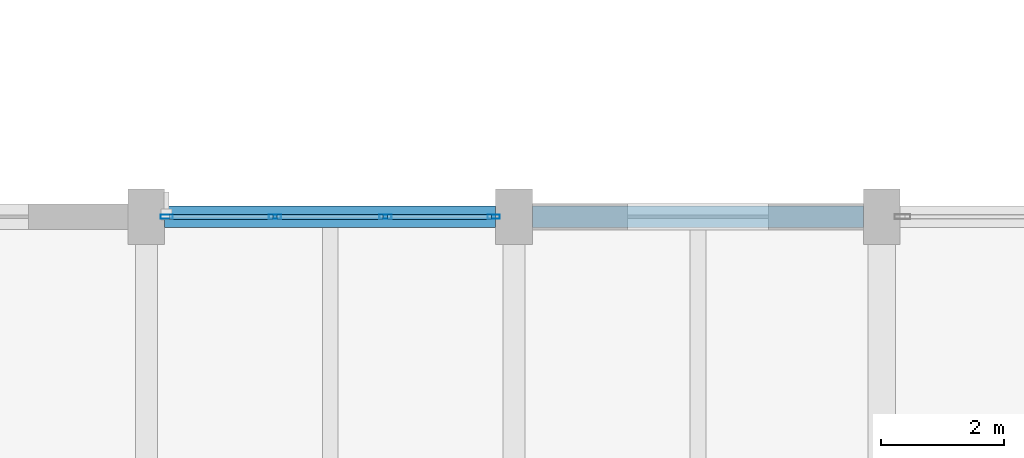
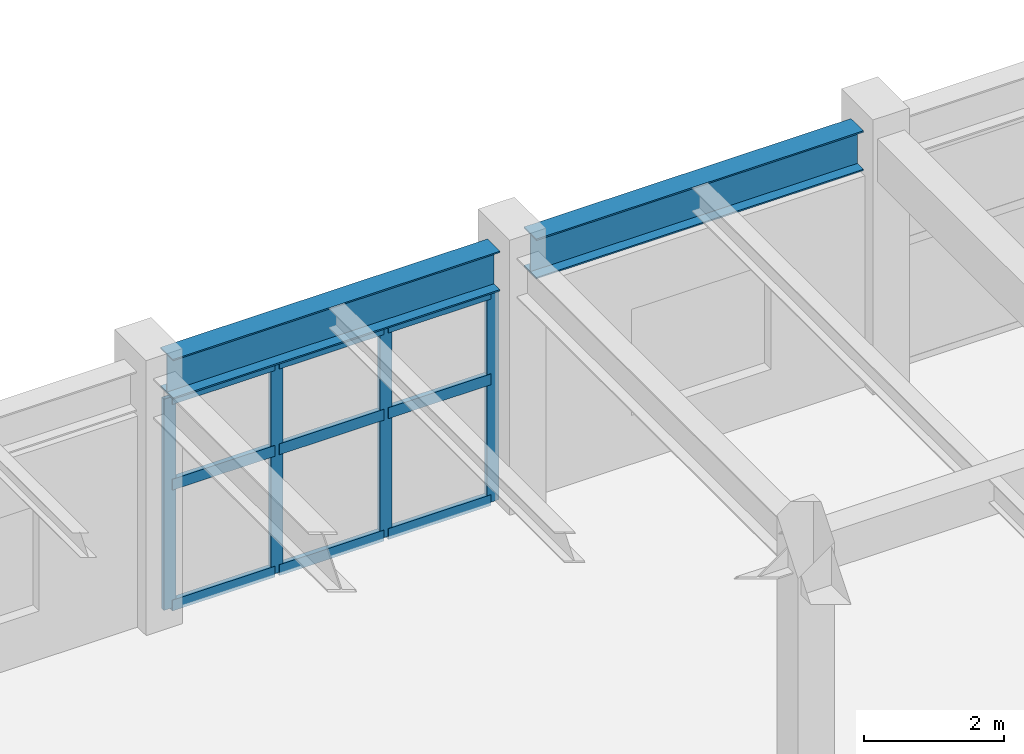
# One storey, part 38 of 85: 13 members, 2 beams, 1 element without a shape of its own.
"""IFC4 building model written with IfcOpenShell, lengths in metres."""

import ifcopenshell
import ifcopenshell.guid

model = None  # the IFC model being written
_history = None  # IfcOwnerHistory: only IFC2X3 demands one
_inside = {}  # id of a spatial element -> (the spatial element, [elements in it])
_under = {}  # id of a project, library or spatial element -> (it, [spatial elements below it])
_declared = {}  # id of a project -> (the project, [libraries it declares])
_typed = {}  # id of a type object -> (the type object, [elements of that type])
_made_of = {}  # id of a material, layer set ... -> (it, [elements and type objects made of it])


def new_model(schema):
    """Start an empty IFC model of exactly this schema.

    Asked for "IFC4X3", IfcOpenShell would pick the latest addendum, in which some entities
    have other attributes; the version numbers below select the first issue.
    IFC2X3 requires an IfcOwnerHistory on every rooted entity: one is made here for all.
    """
    global model, _history
    if schema == "IFC4X3":
        model = ifcopenshell.file(schema_version=(4, 3, 0, 0))
    else:
        model = ifcopenshell.file(schema=schema)
    _inside.clear()
    _under.clear()
    _declared.clear()
    _typed.clear()
    _made_of.clear()
    _history = None
    if model.schema == "IFC2X3":
        org = make("IfcOrganization", Name="unknown")
        user = make(
            "IfcPersonAndOrganization",
            ThePerson=make("IfcPerson", FamilyName="unknown"),
            TheOrganization=org,
        )
        app = make(
            "IfcApplication",
            ApplicationDeveloper=org,
            Version="unknown",
            ApplicationFullName="unknown",
            ApplicationIdentifier="unknown",
        )
        _history = make(
            "IfcOwnerHistory",
            OwningUser=user,
            OwningApplication=app,
            ChangeAction="ADDED",
            CreationDate=0,
        )
    return model


def make(cls, **values):
    """One entity of the class cls with the attributes given. An attribute that is None is left unset."""
    return model.create_entity(
        cls, **{name: value for name, value in values.items() if value is not None}
    )


def rooted(cls, **values):
    """An entity with a GlobalId (a new one), such as an element, a storey or a relation."""
    return make(cls, GlobalId=ifcopenshell.guid.new(), OwnerHistory=_history, **values)


def si_unit(unit_type, name, prefix=None):
    """IfcSIUnit, for example si_unit("LENGTHUNIT", "METRE", prefix="MILLI")."""
    return make("IfcSIUnit", UnitType=unit_type, Prefix=prefix, Name=name)


def assignment(units):
    """IfcUnitAssignment: the units of a project."""
    return None if units is None else make("IfcUnitAssignment", Units=units)


def point(xyz):
    """IfcCartesianPoint."""
    return None if xyz is None else make("IfcCartesianPoint", Coordinates=xyz)


def direction(xyz):
    """IfcDirection."""
    return None if xyz is None else make("IfcDirection", DirectionRatios=xyz)


def frame(location, z_axis=None, x_axis=None):
    """IfcAxis2Placement3D, a coordinate frame: its origin and axes. An axis left out is left unset."""
    return make(
        "IfcAxis2Placement3D",
        Location=point(location),
        Axis=direction(z_axis),
        RefDirection=direction(x_axis),
    )


def frame_2d(location, x_axis=None):
    """IfcAxis2Placement2D, a coordinate frame in the plane: its origin and x axis."""
    return make(
        "IfcAxis2Placement2D", Location=point(location), RefDirection=direction(x_axis)
    )


def origin():
    """The frame at (0, 0, 0) with its axes left unset."""
    return frame((0.0, 0.0, 0.0))


def origin_2d():
    """The frame at (0, 0) in the plane with its x axis left unset."""
    return frame_2d((0.0, 0.0))


def place(relative_to, where):
    """IfcLocalPlacement: puts the frame where relative to a parent placement (None: the world)."""
    return make(
        "IfcLocalPlacement", PlacementRelTo=relative_to, RelativePlacement=where
    )


def context(
    kind, dimensions, precision=None, world=None, true_north=None, identifier=None
):
    """IfcGeometricRepresentationContext, for example the 3D "Model" context."""
    return make(
        "IfcGeometricRepresentationContext",
        ContextIdentifier=identifier,
        ContextType=kind,
        CoordinateSpaceDimension=dimensions,
        Precision=precision,
        WorldCoordinateSystem=world,
        TrueNorth=true_north,
    )


def subcontext(parent, identifier, kind, view, scale=None):
    """IfcGeometricRepresentationSubContext, for example "Body" below "Model"."""
    return make(
        "IfcGeometricRepresentationSubContext",
        ContextIdentifier=identifier,
        ContextType=kind,
        ParentContext=parent,
        TargetScale=scale,
        TargetView=view,
    )


def project(units=None, contexts=None):
    """IfcProject with its units and contexts."""
    return rooted(
        "IfcProject",
        Name="project",
        RepresentationContexts=contexts,
        UnitsInContext=assignment(units),
    )


def spatial(cls, under=None, at=None, **own):
    """A site, building, storey or space (cls), placed at a placement, below another one or the project."""
    s = rooted(cls, ObjectPlacement=at, **own)
    if under is not None:
        _under.setdefault(under.id(), (under, []))[1].append(s)
    return s


def profile(cls, at=None, kind="AREA", **sizes):
    """A parametric profile (cls). Its sizes go by their IFC names, for example OverallWidth=200.0."""
    return make(cls, ProfileType=kind, Position=at, **sizes)


def hollow_rectangle(**sizes):
    """IfcRectangleHollowProfileDef."""
    return profile("IfcRectangleHollowProfileDef", **sizes)


def i_section(**sizes):
    """IfcIShapeProfileDef."""
    return profile("IfcIShapeProfileDef", **sizes)


def extrude(swept, where, along, depth):
    """IfcExtrudedAreaSolid: the profile swept, set in the frame where, extruded along a direction by depth."""
    return make(
        "IfcExtrudedAreaSolid",
        SweptArea=swept,
        Position=where,
        ExtrudedDirection=direction(along),
        Depth=depth,
    )


def shape(context_of_items, identifier, shape_type, items):
    """IfcShapeRepresentation: the items that make up one representation, for example the "Body"."""
    return make(
        "IfcShapeRepresentation",
        ContextOfItems=context_of_items,
        RepresentationIdentifier=identifier,
        RepresentationType=shape_type,
        Items=items,
    )


def material(Name=None, Category=None):
    """IfcMaterial."""
    return make("IfcMaterial", Name=Name, Category=Category)


def layer(
    of_material, thickness, ventilated=None, Name=None, Category=None, Priority=None
):
    """IfcMaterialLayer: one layer of a wall or slab, of a material (None: an air gap)."""
    return make(
        "IfcMaterialLayer",
        Material=of_material,
        LayerThickness=thickness,
        IsVentilated=ventilated,
        Name=Name,
        Category=Category,
        Priority=Priority,
    )


def layer_set(layers, Name=None):
    """IfcMaterialLayerSet."""
    return make("IfcMaterialLayerSet", MaterialLayers=layers, LayerSetName=Name)


def material_profile(
    of_material, cross_section, Name=None, Category=None, Priority=None
):
    """IfcMaterialProfile: a cross section and its material."""
    return make(
        "IfcMaterialProfile",
        Name=Name,
        Material=of_material,
        Profile=cross_section,
        Priority=Priority,
        Category=Category,
    )


def profile_set(profiles, Name=None, composite=None):
    """IfcMaterialProfileSet."""
    return make(
        "IfcMaterialProfileSet",
        Name=Name,
        MaterialProfiles=profiles,
        CompositeProfile=composite,
    )


def made_of(thing, what):
    """Note that an element or type object is made of a material, layer set ...; save() writes the relation."""
    if what is not None:
        _made_of.setdefault(what.id(), (what, []))[1].append(thing)
    return thing


def type_object(cls, material=None, **own):
    """A type object (cls), such as IfcWallType, which elements share."""
    return made_of(rooted(cls, **own), material)


def element(
    cls,
    number,
    at=None,
    inside=None,
    cuts=None,
    type_object=None,
    material=None,
    context=None,
    identifier="Body",
    shape_type=None,
    held_by="IfcProductDefinitionShape",
    body=None,
    shapes=None,
    **own,
):
    """One element of the class cls, such as IfcWall. Its Tag is "e" and its number.

    at: its placement. inside: the storey or other place that contains it. cuts: it is an
    opening in that element (IfcRelVoidsElement). A single representation is given by context,
    identifier, shape_type and body (its items); several are given by shapes. held_by: the class
    of the entity that holds the representations. save() writes the other relations.
    """
    e = rooted(cls, Tag="e%d" % number, ObjectPlacement=at, **own)
    if body is not None:
        shapes = [shape(context, identifier, shape_type, body)]
    if shapes is not None:
        e.Representation = make(held_by, Representations=shapes)
    if inside is not None:
        _inside.setdefault(inside.id(), (inside, []))[1].append(e)
    if cuts is not None:
        rooted(
            "IfcRelVoidsElement", RelatingBuildingElement=cuts, RelatedOpeningElement=e
        )
    if type_object is not None:
        _typed.setdefault(type_object.id(), (type_object, []))[1].append(e)
    return made_of(e, material)


def aggregate(whole, parts):
    """IfcRelAggregates: a whole, such as a stair, and the parts it consists of."""
    return rooted("IfcRelAggregates", RelatingObject=whole, RelatedObjects=parts)


def save(model, path):
    """Write the relations noted so far, then the file.

    IfcRelAggregates (storeys below a building ...), IfcRelContainedInSpatialStructure (elements
    in a storey), IfcRelDefinesByType, IfcRelAssociatesMaterial and IfcRelDeclares: one each for
    every whole, place, type object, material and project.
    """
    for whole, parts in _under.values():
        aggregate(whole, parts)
    for where, things in _inside.values():
        rooted(
            "IfcRelContainedInSpatialStructure",
            RelatedElements=things,
            RelatingStructure=where,
        )
    for kind, things in _typed.values():
        rooted("IfcRelDefinesByType", RelatedObjects=things, RelatingType=kind)
    for what, things in _made_of.values():
        rooted("IfcRelAssociatesMaterial", RelatedObjects=things, RelatingMaterial=what)
    for by, libraries in _declared.values():
        rooted("IfcRelDeclares", RelatingContext=by, RelatedDefinitions=libraries)
    model.write(path)


model = new_model("IFC4")

# Units and contexts
model_context = context("Model", 3, precision=1e-05, world=origin(), true_north=direction((0.0, 1.0)))
body_context = subcontext(model_context, "Body", "Model", "MODEL_VIEW")
ifc_project = project(units=[si_unit("LENGTHUNIT", "METRE"), si_unit("AREAUNIT", "SQUARE_METRE"), si_unit("VOLUMEUNIT", "CUBIC_METRE"), si_unit("PLANEANGLEUNIT", "RADIAN"), si_unit("MASSUNIT", "GRAM", prefix="KILO")], contexts=[model_context])

# Site, building, storey
site_placement = place(None, origin())
site = spatial("IfcSite", under=ifc_project, at=site_placement, CompositionType="ELEMENT")
building_placement = place(site_placement, origin())
building = spatial("IfcBuilding", under=site, at=building_placement, Name="Vaelkrest Opera House", CompositionType="ELEMENT")
storey_placement = place(building_placement, frame((0.0, 0.0, 10.199951171875)))
storey = spatial("IfcBuildingStorey", under=building, at=storey_placement, Name="L02", CompositionType="ELEMENT", Elevation=10.199951171875)

# Curtain wall, members
ifc_material_1 = material(Name="Dark bronze anodized aluminium", Category="aluminium")
ifc_layer = layer(ifc_material_1, 0.22998046875)
ifc_layer_set = layer_set([ifc_layer], Name="Dark bronze anodized aluminium")
curtain_wall_type = type_object("IfcCurtainWallType", Name="CW06", PredefinedType="NOTDEFINED", material=ifc_layer_set)
curtain_wall_placement = place(storey_placement, origin())
curtain_wall = element("IfcCurtainWall", 1, at=curtain_wall_placement, inside=storey, type_object=curtain_wall_type, Name="Curtain wall CW-L02-120", PredefinedType="NOTDEFINED")
ifc_material_profile_1 = material_profile(ifc_material_1, hollow_rectangle(XDim=0.070068359375, YDim=0.199951171875, WallThickness=0.004150390625, at=origin_2d()), Name="CWM70X200")
ifc_profile_set_1 = profile_set([ifc_material_profile_1], Name="Dark bronze anodized aluminium")
member_type_1 = type_object("IfcMemberType", Name="CWM02", PredefinedType="MULLION", material=ifc_profile_set_1)
member_1_placement = place(storey_placement, frame((-63.26708984375, 33.60009765625, 0.0), z_axis=(0.0, 0.0, 1.0), x_axis=(0.0, 1.0, 0.0)))
member_1 = element("IfcMember", 2, at=member_1_placement, type_object=member_type_1, Name="CW06 mullion 1", PredefinedType="MULLION", context=body_context, shape_type="SweptSolid", body=[
    extrude(hollow_rectangle(XDim=0.070068359375, YDim=0.199951171875, WallThickness=0.004150390625, at=origin_2d()), origin(), (0.0, 0.0, 1.0), 3.68505859375),
])
member_2_placement = place(storey_placement, frame((-61.500732421875, 33.60009765625, 0.0), z_axis=(0.0, 0.0, 1.0), x_axis=(0.0, 1.0, 0.0)))
member_2 = element("IfcMember", 3, at=member_2_placement, type_object=member_type_1, Name="CW06 mullion 2", PredefinedType="MULLION", context=body_context, shape_type="SweptSolid", body=[
    extrude(hollow_rectangle(XDim=0.070068359375, YDim=0.199951171875, WallThickness=0.004150390625, at=origin_2d()), origin(), (0.0, 0.0, 1.0), 3.68505859375),
])
member_3_placement = place(storey_placement, frame((-59.69921875, 33.60009765625, 0.0), z_axis=(0.0, 0.0, 1.0), x_axis=(0.0, 1.0, 0.0)))
member_3 = element("IfcMember", 4, at=member_3_placement, type_object=member_type_1, Name="CW06 mullion 3", PredefinedType="MULLION", context=body_context, shape_type="SweptSolid", body=[
    extrude(hollow_rectangle(XDim=0.070068359375, YDim=0.199951171875, WallThickness=0.004150390625, at=origin_2d()), origin(), (0.0, 0.0, 1.0), 3.68505859375),
])
member_4_placement = place(storey_placement, frame((-57.93310546875, 33.60009765625, 0.0), z_axis=(0.0, 0.0, 1.0), x_axis=(0.0, 1.0, 0.0)))
member_4 = element("IfcMember", 5, at=member_4_placement, type_object=member_type_1, Name="CW06 mullion 4", PredefinedType="MULLION", context=body_context, shape_type="SweptSolid", body=[
    extrude(hollow_rectangle(XDim=0.070068359375, YDim=0.199951171875, WallThickness=0.004150390625, at=origin_2d()), origin(), (0.0, 0.0, 1.0), 3.68505859375),
])
ifc_material_profile_2 = material_profile(ifc_material_1, hollow_rectangle(XDim=0.080078125, YDim=0.18994140625, WallThickness=0.0048828125, at=origin_2d()), Name="CWT80X190")
ifc_profile_set_2 = profile_set([ifc_material_profile_2], Name="Dark bronze anodized aluminium")
member_type_2 = type_object("IfcMemberType", Name="CWT04", PredefinedType="USERDEFINED", material=ifc_profile_set_2)
member_5_placement = place(storey_placement, frame((-63.23193359375, 33.60009765625, 0.0400390625), z_axis=(1.0, 0.0, 0.0), x_axis=(0.0, 1.0, 0.0)))
member_5 = element("IfcMember", 6, at=member_5_placement, type_object=member_type_2, Name="CW06 transom 1.1", ObjectType="TRANSOM", PredefinedType="USERDEFINED", context=body_context, shape_type="SweptSolid", body=[
    extrude(hollow_rectangle(XDim=0.080078125, YDim=0.18994140625, WallThickness=0.0048828125, at=origin_2d()), origin(), (0.0, 0.0, 1.0), 1.6962890625),
])
member_6_placement = place(storey_placement, frame((-63.23193359375, 33.60009765625, 2.150146484375), z_axis=(1.0, 0.0, 0.0), x_axis=(0.0, 1.0, 0.0)))
member_6 = element("IfcMember", 7, at=member_6_placement, type_object=member_type_2, Name="CW06 transom 1.2", ObjectType="TRANSOM", PredefinedType="USERDEFINED", context=body_context, shape_type="SweptSolid", body=[
    extrude(hollow_rectangle(XDim=0.080078125, YDim=0.18994140625, WallThickness=0.0048828125, at=origin_2d()), origin(), (0.0, 0.0, 1.0), 1.6962890625),
])
member_7_placement = place(storey_placement, frame((-63.23193359375, 33.60009765625, 3.64501953125), z_axis=(1.0, 0.0, 0.0), x_axis=(0.0, 1.0, 0.0)))
member_7 = element("IfcMember", 8, at=member_7_placement, type_object=member_type_2, Name="CW06 transom 1.3", ObjectType="TRANSOM", PredefinedType="USERDEFINED", context=body_context, shape_type="SweptSolid", body=[
    extrude(hollow_rectangle(XDim=0.080078125, YDim=0.18994140625, WallThickness=0.0048828125, at=origin_2d()), origin(), (0.0, 0.0, 1.0), 1.6962890625),
])
member_8_placement = place(storey_placement, frame((-61.465576171875, 33.60009765625, 0.0400390625), z_axis=(1.0, 0.0, 0.0), x_axis=(0.0, 1.0, 0.0)))
member_8 = element("IfcMember", 9, at=member_8_placement, type_object=member_type_2, Name="CW06 transom 2.1", ObjectType="TRANSOM", PredefinedType="USERDEFINED", context=body_context, shape_type="SweptSolid", body=[
    extrude(hollow_rectangle(XDim=0.080078125, YDim=0.18994140625, WallThickness=0.0048828125, at=origin_2d()), origin(), (0.0, 0.0, 1.0), 1.731201171875),
])
member_9_placement = place(storey_placement, frame((-61.465576171875, 33.60009765625, 2.150146484375), z_axis=(1.0, 0.0, 0.0), x_axis=(0.0, 1.0, 0.0)))
member_9 = element("IfcMember", 10, at=member_9_placement, type_object=member_type_2, Name="CW06 transom 2.2", ObjectType="TRANSOM", PredefinedType="USERDEFINED", context=body_context, shape_type="SweptSolid", body=[
    extrude(hollow_rectangle(XDim=0.080078125, YDim=0.18994140625, WallThickness=0.0048828125, at=origin_2d()), origin(), (0.0, 0.0, 1.0), 1.731201171875),
])
member_10_placement = place(storey_placement, frame((-61.465576171875, 33.60009765625, 3.64501953125), z_axis=(1.0, 0.0, 0.0), x_axis=(0.0, 1.0, 0.0)))
member_10 = element("IfcMember", 11, at=member_10_placement, type_object=member_type_2, Name="CW06 transom 2.3", ObjectType="TRANSOM", PredefinedType="USERDEFINED", context=body_context, shape_type="SweptSolid", body=[
    extrude(hollow_rectangle(XDim=0.080078125, YDim=0.18994140625, WallThickness=0.0048828125, at=origin_2d()), origin(), (0.0, 0.0, 1.0), 1.731201171875),
])
member_11_placement = place(storey_placement, frame((-59.664306640625, 33.60009765625, 0.0400390625), z_axis=(1.0, 0.0, 0.0), x_axis=(0.0, 1.0, 0.0)))
member_11 = element("IfcMember", 12, at=member_11_placement, type_object=member_type_2, Name="CW06 transom 3.1", ObjectType="TRANSOM", PredefinedType="USERDEFINED", context=body_context, shape_type="SweptSolid", body=[
    extrude(hollow_rectangle(XDim=0.080078125, YDim=0.18994140625, WallThickness=0.0048828125, at=origin_2d()), origin(), (0.0, 0.0, 1.0), 1.6962890625),
])
member_12_placement = place(storey_placement, frame((-59.664306640625, 33.60009765625, 2.150146484375), z_axis=(1.0, 0.0, 0.0), x_axis=(0.0, 1.0, 0.0)))
member_12 = element("IfcMember", 13, at=member_12_placement, type_object=member_type_2, Name="CW06 transom 3.2", ObjectType="TRANSOM", PredefinedType="USERDEFINED", context=body_context, shape_type="SweptSolid", body=[
    extrude(hollow_rectangle(XDim=0.080078125, YDim=0.18994140625, WallThickness=0.0048828125, at=origin_2d()), origin(), (0.0, 0.0, 1.0), 1.6962890625),
])
member_13_placement = place(storey_placement, frame((-59.664306640625, 33.60009765625, 3.64501953125), z_axis=(1.0, 0.0, 0.0), x_axis=(0.0, 1.0, 0.0)))
member_13 = element("IfcMember", 14, at=member_13_placement, type_object=member_type_2, Name="CW06 transom 3.3", ObjectType="TRANSOM", PredefinedType="USERDEFINED", context=body_context, shape_type="SweptSolid", body=[
    extrude(hollow_rectangle(XDim=0.080078125, YDim=0.18994140625, WallThickness=0.0048828125, at=origin_2d()), origin(), (0.0, 0.0, 1.0), 1.6962890625),
])
aggregate(curtain_wall, [member_1, member_2, member_3, member_4, member_5, member_6, member_7, member_8, member_9, member_10, member_11, member_12, member_13])

# Beams
ifc_material_2 = material(Name="Steel A992 Gr50", Category="steel")
ifc_material_profile_3 = material_profile(ifc_material_2, i_section(OverallWidth=0.35498046875, OverallDepth=0.695068359375, WebThickness=0.015380859375, FlangeThickness=0.02490234375, at=origin_2d()), Name="W27X146")
ifc_profile_set_3 = profile_set([ifc_material_profile_3], Name="Steel A992 Gr50")
beam_type = type_object("IfcBeamType", Name="SP02", PredefinedType="SPANDREL", material=ifc_profile_set_3)
for number, where, z_axis, x_axis, name in (
    (15, (-63.300048828125, 33.60009765625, 4.09765625), (1.0, 0.0, 0.0), (0.0, 1.0, 0.0), "Beam BM-V3-L02-1659"),
    (16, (-57.300048828125, 33.60009765625, 4.09765625), (1.0, 0.0, 0.0), (0.0, 1.0, 0.0), "Beam BM-V3-L02-1660"),
):
    element("IfcBeam", number, at=place(storey_placement, frame(where, z_axis=z_axis, x_axis=x_axis)), inside=storey, type_object=beam_type, Name=name, PredefinedType="SPANDREL", context=body_context, shape_type="SweptSolid", body=[
        extrude(i_section(OverallWidth=0.35498046875, OverallDepth=0.695068359375, WebThickness=0.015380859375, FlangeThickness=0.02490234375, at=origin_2d()), origin(), (0.0, 0.0, 1.0), 5.400146484375),
    ])

save(model, "model.ifc")
